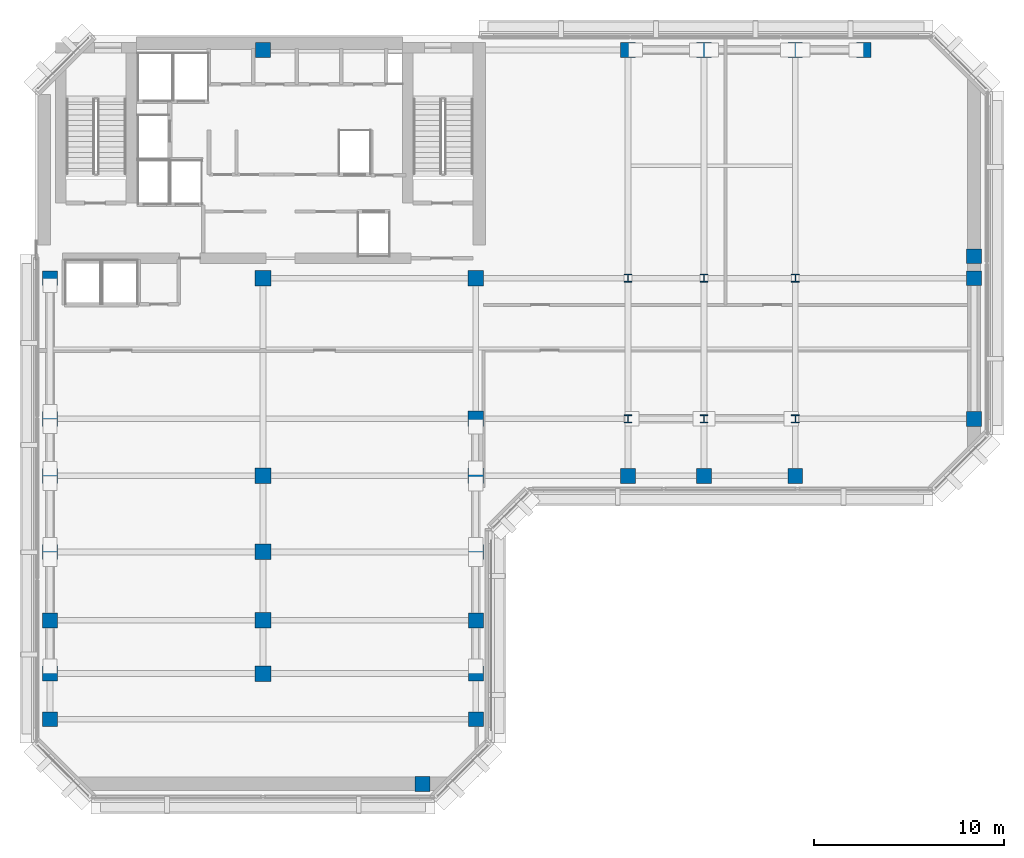
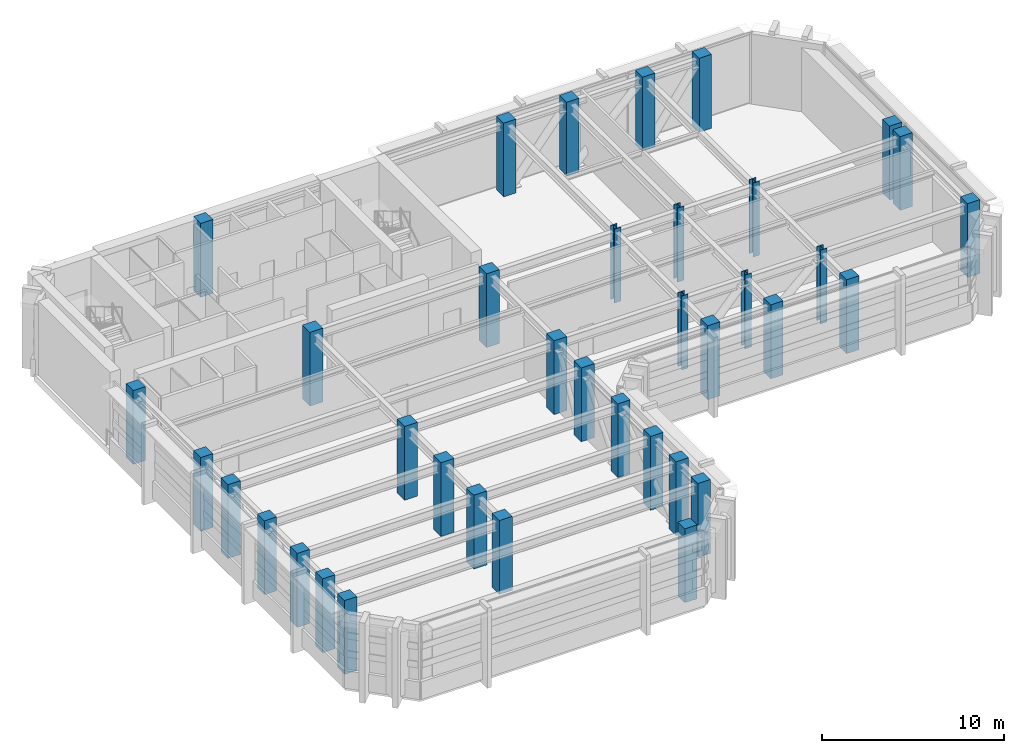
# One storey, part 1 of 11: 37 columns.
"""IFC4 building model written with IfcOpenShell, lengths in metres."""

import ifcopenshell
import ifcopenshell.guid

model = None  # the IFC model being written
_history = None  # IfcOwnerHistory: only IFC2X3 demands one
_inside = {}  # id of a spatial element -> (the spatial element, [elements in it])
_under = {}  # id of a project, library or spatial element -> (it, [spatial elements below it])
_declared = {}  # id of a project -> (the project, [libraries it declares])
_typed = {}  # id of a type object -> (the type object, [elements of that type])
_made_of = {}  # id of a material, layer set ... -> (it, [elements and type objects made of it])


def new_model(schema):
    """Start an empty IFC model of exactly this schema.

    Asked for "IFC4X3", IfcOpenShell would pick the latest addendum, in which some entities
    have other attributes; the version numbers below select the first issue.
    IFC2X3 requires an IfcOwnerHistory on every rooted entity: one is made here for all.
    """
    global model, _history
    if schema == "IFC4X3":
        model = ifcopenshell.file(schema_version=(4, 3, 0, 0))
    else:
        model = ifcopenshell.file(schema=schema)
    _inside.clear()
    _under.clear()
    _declared.clear()
    _typed.clear()
    _made_of.clear()
    _history = None
    if model.schema == "IFC2X3":
        org = make("IfcOrganization", Name="unknown")
        user = make(
            "IfcPersonAndOrganization",
            ThePerson=make("IfcPerson", FamilyName="unknown"),
            TheOrganization=org,
        )
        app = make(
            "IfcApplication",
            ApplicationDeveloper=org,
            Version="unknown",
            ApplicationFullName="unknown",
            ApplicationIdentifier="unknown",
        )
        _history = make(
            "IfcOwnerHistory",
            OwningUser=user,
            OwningApplication=app,
            ChangeAction="ADDED",
            CreationDate=0,
        )
    return model


def make(cls, **values):
    """One entity of the class cls with the attributes given. An attribute that is None is left unset."""
    return model.create_entity(
        cls, **{name: value for name, value in values.items() if value is not None}
    )


def rooted(cls, **values):
    """An entity with a GlobalId (a new one), such as an element, a storey or a relation."""
    return make(cls, GlobalId=ifcopenshell.guid.new(), OwnerHistory=_history, **values)


def si_unit(unit_type, name, prefix=None):
    """IfcSIUnit, for example si_unit("LENGTHUNIT", "METRE", prefix="MILLI")."""
    return make("IfcSIUnit", UnitType=unit_type, Prefix=prefix, Name=name)


def assignment(units):
    """IfcUnitAssignment: the units of a project."""
    return None if units is None else make("IfcUnitAssignment", Units=units)


def point(xyz):
    """IfcCartesianPoint."""
    return None if xyz is None else make("IfcCartesianPoint", Coordinates=xyz)


def direction(xyz):
    """IfcDirection."""
    return None if xyz is None else make("IfcDirection", DirectionRatios=xyz)


def frame(location, z_axis=None, x_axis=None):
    """IfcAxis2Placement3D, a coordinate frame: its origin and axes. An axis left out is left unset."""
    return make(
        "IfcAxis2Placement3D",
        Location=point(location),
        Axis=direction(z_axis),
        RefDirection=direction(x_axis),
    )


def frame_2d(location, x_axis=None):
    """IfcAxis2Placement2D, a coordinate frame in the plane: its origin and x axis."""
    return make(
        "IfcAxis2Placement2D", Location=point(location), RefDirection=direction(x_axis)
    )


def origin():
    """The frame at (0, 0, 0) with its axes left unset."""
    return frame((0.0, 0.0, 0.0))


def origin_2d():
    """The frame at (0, 0) in the plane with its x axis left unset."""
    return frame_2d((0.0, 0.0))


def place(relative_to, where):
    """IfcLocalPlacement: puts the frame where relative to a parent placement (None: the world)."""
    return make(
        "IfcLocalPlacement", PlacementRelTo=relative_to, RelativePlacement=where
    )


def context(
    kind, dimensions, precision=None, world=None, true_north=None, identifier=None
):
    """IfcGeometricRepresentationContext, for example the 3D "Model" context."""
    return make(
        "IfcGeometricRepresentationContext",
        ContextIdentifier=identifier,
        ContextType=kind,
        CoordinateSpaceDimension=dimensions,
        Precision=precision,
        WorldCoordinateSystem=world,
        TrueNorth=true_north,
    )


def subcontext(parent, identifier, kind, view, scale=None):
    """IfcGeometricRepresentationSubContext, for example "Body" below "Model"."""
    return make(
        "IfcGeometricRepresentationSubContext",
        ContextIdentifier=identifier,
        ContextType=kind,
        ParentContext=parent,
        TargetScale=scale,
        TargetView=view,
    )


def project(units=None, contexts=None):
    """IfcProject with its units and contexts."""
    return rooted(
        "IfcProject",
        Name="project",
        RepresentationContexts=contexts,
        UnitsInContext=assignment(units),
    )


def spatial(cls, under=None, at=None, **own):
    """A site, building, storey or space (cls), placed at a placement, below another one or the project."""
    s = rooted(cls, ObjectPlacement=at, **own)
    if under is not None:
        _under.setdefault(under.id(), (under, []))[1].append(s)
    return s


def profile(cls, at=None, kind="AREA", **sizes):
    """A parametric profile (cls). Its sizes go by their IFC names, for example OverallWidth=200.0."""
    return make(cls, ProfileType=kind, Position=at, **sizes)


def rectangle(**sizes):
    """IfcRectangleProfileDef."""
    return profile("IfcRectangleProfileDef", **sizes)


def i_section(**sizes):
    """IfcIShapeProfileDef."""
    return profile("IfcIShapeProfileDef", **sizes)


def extrude(swept, where, along, depth):
    """IfcExtrudedAreaSolid: the profile swept, set in the frame where, extruded along a direction by depth."""
    return make(
        "IfcExtrudedAreaSolid",
        SweptArea=swept,
        Position=where,
        ExtrudedDirection=direction(along),
        Depth=depth,
    )


def shape(context_of_items, identifier, shape_type, items):
    """IfcShapeRepresentation: the items that make up one representation, for example the "Body"."""
    return make(
        "IfcShapeRepresentation",
        ContextOfItems=context_of_items,
        RepresentationIdentifier=identifier,
        RepresentationType=shape_type,
        Items=items,
    )


def material(Name=None, Category=None):
    """IfcMaterial."""
    return make("IfcMaterial", Name=Name, Category=Category)


def material_profile(
    of_material, cross_section, Name=None, Category=None, Priority=None
):
    """IfcMaterialProfile: a cross section and its material."""
    return make(
        "IfcMaterialProfile",
        Name=Name,
        Material=of_material,
        Profile=cross_section,
        Priority=Priority,
        Category=Category,
    )


def profile_set(profiles, Name=None, composite=None):
    """IfcMaterialProfileSet."""
    return make(
        "IfcMaterialProfileSet",
        Name=Name,
        MaterialProfiles=profiles,
        CompositeProfile=composite,
    )


def made_of(thing, what):
    """Note that an element or type object is made of a material, layer set ...; save() writes the relation."""
    if what is not None:
        _made_of.setdefault(what.id(), (what, []))[1].append(thing)
    return thing


def type_object(cls, material=None, **own):
    """A type object (cls), such as IfcWallType, which elements share."""
    return made_of(rooted(cls, **own), material)


def element(
    cls,
    number,
    at=None,
    inside=None,
    cuts=None,
    type_object=None,
    material=None,
    context=None,
    identifier="Body",
    shape_type=None,
    held_by="IfcProductDefinitionShape",
    body=None,
    shapes=None,
    **own,
):
    """One element of the class cls, such as IfcWall. Its Tag is "e" and its number.

    at: its placement. inside: the storey or other place that contains it. cuts: it is an
    opening in that element (IfcRelVoidsElement). A single representation is given by context,
    identifier, shape_type and body (its items); several are given by shapes. held_by: the class
    of the entity that holds the representations. save() writes the other relations.
    """
    e = rooted(cls, Tag="e%d" % number, ObjectPlacement=at, **own)
    if body is not None:
        shapes = [shape(context, identifier, shape_type, body)]
    if shapes is not None:
        e.Representation = make(held_by, Representations=shapes)
    if inside is not None:
        _inside.setdefault(inside.id(), (inside, []))[1].append(e)
    if cuts is not None:
        rooted(
            "IfcRelVoidsElement", RelatingBuildingElement=cuts, RelatedOpeningElement=e
        )
    if type_object is not None:
        _typed.setdefault(type_object.id(), (type_object, []))[1].append(e)
    return made_of(e, material)


def aggregate(whole, parts):
    """IfcRelAggregates: a whole, such as a stair, and the parts it consists of."""
    return rooted("IfcRelAggregates", RelatingObject=whole, RelatedObjects=parts)


def save(model, path):
    """Write the relations noted so far, then the file.

    IfcRelAggregates (storeys below a building ...), IfcRelContainedInSpatialStructure (elements
    in a storey), IfcRelDefinesByType, IfcRelAssociatesMaterial and IfcRelDeclares: one each for
    every whole, place, type object, material and project.
    """
    for whole, parts in _under.values():
        aggregate(whole, parts)
    for where, things in _inside.values():
        rooted(
            "IfcRelContainedInSpatialStructure",
            RelatedElements=things,
            RelatingStructure=where,
        )
    for kind, things in _typed.values():
        rooted("IfcRelDefinesByType", RelatedObjects=things, RelatingType=kind)
    for what, things in _made_of.values():
        rooted("IfcRelAssociatesMaterial", RelatedObjects=things, RelatingMaterial=what)
    for by, libraries in _declared.values():
        rooted("IfcRelDeclares", RelatingContext=by, RelatedDefinitions=libraries)
    model.write(path)


model = new_model("IFC4")

# Units and contexts
model_context = context("Model", 3, precision=1e-05, world=origin(), true_north=direction((0.0, 1.0)))
body_context = subcontext(model_context, "Body", "Model", "MODEL_VIEW")
ifc_project = project(units=[si_unit("LENGTHUNIT", "METRE"), si_unit("AREAUNIT", "SQUARE_METRE"), si_unit("VOLUMEUNIT", "CUBIC_METRE"), si_unit("PLANEANGLEUNIT", "RADIAN"), si_unit("MASSUNIT", "GRAM", prefix="KILO")], contexts=[model_context])

# Site, building, storey
site_placement = place(None, origin())
site = spatial("IfcSite", under=ifc_project, at=site_placement, CompositionType="ELEMENT")
building_placement = place(site_placement, origin())
building = spatial("IfcBuilding", under=site, at=building_placement, Name="Kefirva Bronze Tower", CompositionType="ELEMENT")
storey_placement = place(building_placement, frame((0.0, 0.0, 251.4599609375)))
storey = spatial("IfcBuildingStorey", under=building, at=storey_placement, Name="L61", CompositionType="ELEMENT", Elevation=251.4599609375)

# Columns
ifc_material_1 = material(Name="Concrete C50/60", Category="concrete")
ifc_material_profile_1 = material_profile(ifc_material_1, rectangle(XDim=0.780029296875, YDim=0.780029296875, at=origin_2d()), Name="RC 780x780")
ifc_profile_set_1 = profile_set([ifc_material_profile_1], Name="Concrete C50/60")
column_type_1 = type_object("IfcColumnType", Name="RC Column 780x780 Ext", PredefinedType="COLUMN", material=ifc_profile_set_1)
for number, where, z_axis, x_axis, name in (
    (1, (0.800048828125, 10.0, 0.0), (0.0, 0.0, 1.0), (1.0, 0.0, 0.0), "L61 Column C008_100"),
    (2, (0.800048828125, 12.39990234375, 0.0), (0.0, 0.0, 1.0), (1.0, 0.0, 0.0), "L61 Column C008_124"),
    (3, (0.800048828125, 15.199951171875, 0.0), (0.0, 0.0, 1.0), (1.0, 0.0, 0.0), "L61 Column C008_152"),
    (4, (0.800048828125, 18.800048828125, 0.0), (0.0, 0.0, 1.0), (1.0, 0.0, 0.0), "L61 Column C008_188"),
    (5, (0.800048828125, 22.800048828125, 0.0), (0.0, 0.0, 1.0), (1.0, 0.0, 0.0), "L61 Column C008_228"),
    (6, (0.800048828125, 25.800048828125, 0.0), (0.0, 0.0, 1.0), (1.0, 0.0, 0.0), "L61 Column C008_258"),
    (7, (0.800048828125, 33.199951171875, 0.0), (0.0, 0.0, 1.0), (1.0, 0.0, 0.0), "L61 Column C008_332"),
    (8, (12.0, 45.199951171875, 0.0), (0.0, 0.0, 1.0), (1.0, 0.0, 0.0), "L61 Column C120_452"),
    (9, (20.39990234375, 6.60009765625, 0.0), (0.0, 0.0, 1.0), (1.0, 0.0, 0.0), "L61 Column C204_066"),
    (10, (23.199951171875, 10.0, 0.0), (0.0, 0.0, 1.0), (1.0, 0.0, 0.0), "L61 Column C232_100"),
    (11, (23.199951171875, 12.39990234375, 0.0), (0.0, 0.0, 1.0), (1.0, 0.0, 0.0), "L61 Column C232_124"),
    (12, (23.199951171875, 15.199951171875, 0.0), (0.0, 0.0, 1.0), (1.0, 0.0, 0.0), "L61 Column C232_152"),
    (13, (23.199951171875, 18.800048828125, 0.0), (0.0, 0.0, 1.0), (1.0, 0.0, 0.0), "L61 Column C232_188"),
    (14, (31.199951171875, 22.800048828125, 0.0), (0.0, 0.0, 1.0), (1.0, 0.0, 0.0), "L61 Column C312_228"),
    (15, (31.199951171875, 45.199951171875, 0.0), (0.0, 0.0, 1.0), (1.0, 0.0, 0.0), "L61 Column C312_452"),
    (16, (35.199951171875, 22.800048828125, 0.0), (0.0, 0.0, 1.0), (1.0, 0.0, 0.0), "L61 Column C352_228"),
    (17, (35.199951171875, 45.199951171875, 0.0), (0.0, 0.0, 1.0), (1.0, 0.0, 0.0), "L61 Column C352_452"),
    (18, (40.0, 22.800048828125, 0.0), (0.0, 0.0, 1.0), (1.0, 0.0, 0.0), "L61 Column C400_228"),
    (19, (40.0, 45.199951171875, 0.0), (0.0, 0.0, 1.0), (1.0, 0.0, 0.0), "L61 Column C400_452"),
    (20, (43.60009765625, 45.199951171875, 0.0), (0.0, 0.0, 1.0), (1.0, 0.0, 0.0), "L61 Column C436_452"),
    (21, (49.39990234375, 25.800048828125, 0.0), (0.0, 0.0, 1.0), (1.0, 0.0, 0.0), "L61 Column C494_258"),
    (22, (49.39990234375, 33.199951171875, 0.0), (0.0, 0.0, 1.0), (1.0, 0.0, 0.0), "L61 Column C494_332"),
    (23, (49.39990234375, 34.35009765625, 0.0), (0.0, 0.0, 1.0), (1.0, 0.0, 0.0), "L61 Column C494_344"),
):
    element("IfcColumn", number, at=place(storey_placement, frame(where, z_axis=z_axis, x_axis=x_axis)), inside=storey, type_object=column_type_1, Name=name, PredefinedType="COLUMN", context=body_context, shape_type="SweptSolid", body=[
        extrude(rectangle(XDim=0.780029296875, YDim=0.780029296875, at=origin_2d()), origin(), (0.0, 0.0, 1.0), 4.949951171875),
    ])
ifc_material_profile_2 = material_profile(ifc_material_1, rectangle(XDim=0.820068359375, YDim=0.820068359375, at=origin_2d()), Name="RC 820x820")
ifc_profile_set_2 = profile_set([ifc_material_profile_2], Name="Concrete C50/60")
column_type_2 = type_object("IfcColumnType", Name="RC Column 820x820 Int", PredefinedType="COLUMN", material=ifc_profile_set_2)
for number, where, z_axis, x_axis, name in (
    (24, (12.0, 12.39990234375, 0.0), (0.0, 0.0, 1.0), (1.0, 0.0, 0.0), "L61 Column C120_124"),
    (25, (12.0, 15.199951171875, 0.0), (0.0, 0.0, 1.0), (1.0, 0.0, 0.0), "L61 Column C120_152"),
    (26, (12.0, 18.800048828125, 0.0), (0.0, 0.0, 1.0), (1.0, 0.0, 0.0), "L61 Column C120_188"),
    (27, (12.0, 22.800048828125, 0.0), (0.0, 0.0, 1.0), (1.0, 0.0, 0.0), "L61 Column C120_228"),
    (28, (12.0, 33.199951171875, 0.0), (0.0, 0.0, 1.0), (1.0, 0.0, 0.0), "L61 Column C120_332"),
    (29, (23.199951171875, 22.800048828125, 0.0), (0.0, 0.0, 1.0), (1.0, 0.0, 0.0), "L61 Column C232_228"),
    (30, (23.199951171875, 25.800048828125, 0.0), (0.0, 0.0, 1.0), (1.0, 0.0, 0.0), "L61 Column C232_258"),
    (31, (23.199951171875, 33.199951171875, 0.0), (0.0, 0.0, 1.0), (1.0, 0.0, 0.0), "L61 Column C232_332"),
):
    element("IfcColumn", number, at=place(storey_placement, frame(where, z_axis=z_axis, x_axis=x_axis)), inside=storey, type_object=column_type_2, Name=name, PredefinedType="COLUMN", context=body_context, shape_type="SweptSolid", body=[
        extrude(rectangle(XDim=0.820068359375, YDim=0.820068359375, at=origin_2d()), origin(), (0.0, 0.0, 1.0), 4.949951171875),
    ])
ifc_material_2 = material(Name="Steel S460", Category="steel")
ifc_material_profile_3 = material_profile(ifc_material_2, i_section(OverallWidth=0.412109375, OverallDepth=0.43505859375, WebThickness=0.027099609375, FlangeThickness=0.04296875, at=origin_2d()), Name="HD 400x463")
ifc_profile_set_3 = profile_set([ifc_material_profile_3], Name="Steel S460")
column_type_3 = type_object("IfcColumnType", Name="Steel Column HD 400x463", PredefinedType="COLUMN", material=ifc_profile_set_3)
for number, where, z_axis, x_axis, name in (
    (32, (31.199951171875, 25.800048828125, 0.0), (0.0, 0.0, 1.0), (1.0, 0.0, 0.0), "L61 Column C312_258"),
    (33, (31.199951171875, 33.199951171875, 0.0), (0.0, 0.0, 1.0), (1.0, 0.0, 0.0), "L61 Column C312_332"),
    (34, (35.199951171875, 25.800048828125, 0.0), (0.0, 0.0, 1.0), (1.0, 0.0, 0.0), "L61 Column C352_258"),
    (35, (35.199951171875, 33.199951171875, 0.0), (0.0, 0.0, 1.0), (1.0, 0.0, 0.0), "L61 Column C352_332"),
    (36, (40.0, 25.800048828125, 0.0), (0.0, 0.0, 1.0), (1.0, 0.0, 0.0), "L61 Column C400_258"),
    (37, (40.0, 33.199951171875, 0.0), (0.0, 0.0, 1.0), (1.0, 0.0, 0.0), "L61 Column C400_332"),
):
    element("IfcColumn", number, at=place(storey_placement, frame(where, z_axis=z_axis, x_axis=x_axis)), inside=storey, type_object=column_type_3, Name=name, PredefinedType="COLUMN", context=body_context, shape_type="SweptSolid", body=[
        extrude(i_section(OverallWidth=0.412109375, OverallDepth=0.43505859375, WebThickness=0.027099609375, FlangeThickness=0.04296875, at=origin_2d()), origin(), (0.0, 0.0, 1.0), 4.949951171875),
    ])

save(model, "model.ifc")
